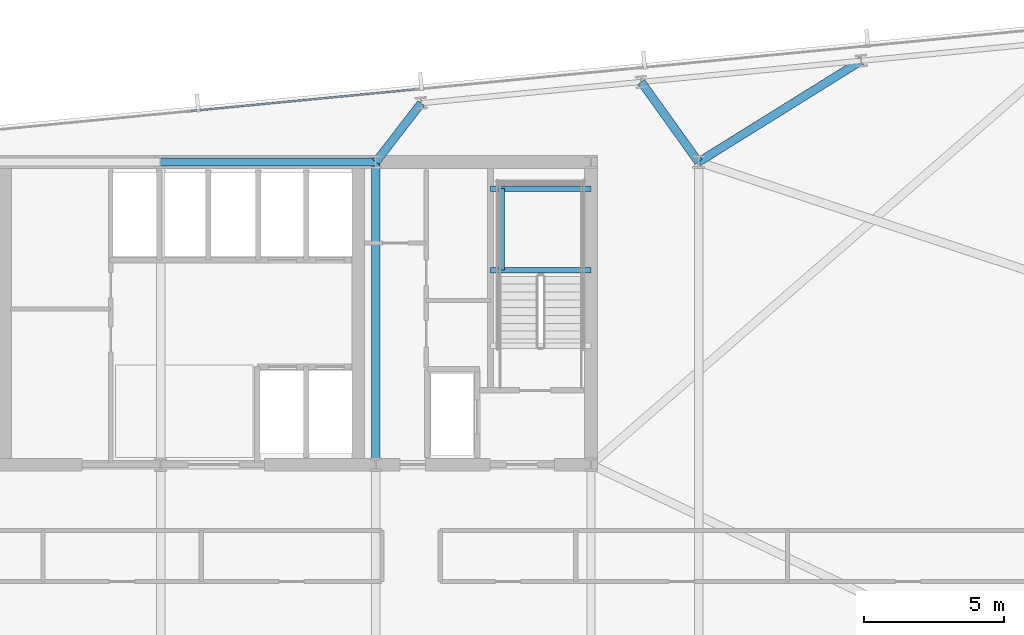
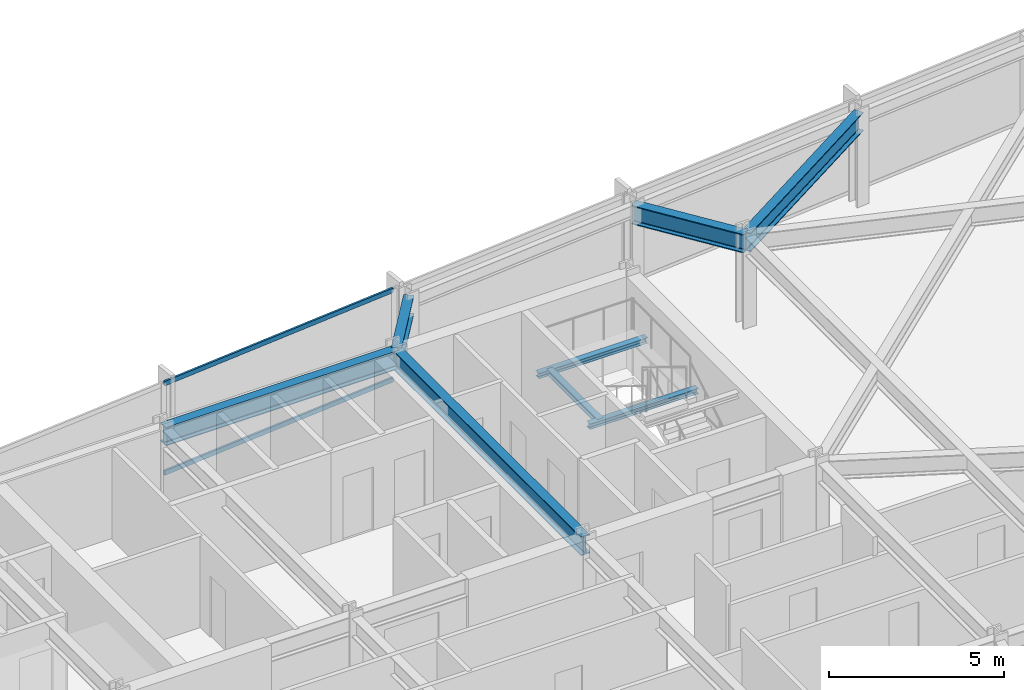
# One storey, part 20 of 32: 8 beams, 2 members, 1 element without a shape of its own.
"""IFC4 building model written with IfcOpenShell, lengths in metres."""

from ifc_helpers import new_model, si_unit, direction, frame, origin, origin_2d, place, context, subcontext, project, spatial, hollow_rectangle, i_section, extrude, material, material_profile, profile_set, type_object, element, aggregate, save


model = new_model("IFC4")

# Units and contexts
model_context = context("Model", 3, precision=1e-05, world=origin(), true_north=direction((0.0, 1.0)))
body_context = subcontext(model_context, "Body", "Model", "MODEL_VIEW")
ifc_project = project(units=[si_unit("LENGTHUNIT", "METRE"), si_unit("AREAUNIT", "SQUARE_METRE"), si_unit("VOLUMEUNIT", "CUBIC_METRE"), si_unit("PLANEANGLEUNIT", "RADIAN"), si_unit("MASSUNIT", "GRAM", prefix="KILO")], contexts=[model_context])

# Site, building, storey
site_placement = place(None, origin())
site = spatial("IfcSite", under=ifc_project, at=site_placement, CompositionType="ELEMENT")
building_placement = place(site_placement, origin())
building = spatial("IfcBuilding", under=site, at=building_placement, Name="Yelkora Congress Tower", CompositionType="ELEMENT")
storey_placement = place(building_placement, frame((0.0, 0.0, 113.5)))
storey = spatial("IfcBuildingStorey", under=building, at=storey_placement, Name="L30", CompositionType="ELEMENT", Elevation=113.5)

# Beams
ifc_material_1 = material(Name="Steel S355J2", Category="steel")
ifc_material_profile_1 = material_profile(ifc_material_1, i_section(OverallWidth=0.300048828125, OverallDepth=0.64990234375, WebThickness=0.01611328125, FlangeThickness=0.031005859375, FilletRadius=0.027099609375, at=origin_2d()), Name="HEB 650")
ifc_profile_set_1 = profile_set([ifc_material_profile_1], Name="Steel S355J2")
beam_type_1 = type_object("IfcBeamType", Name="BM-GIRD-HEB650", PredefinedType="BEAM", material=ifc_profile_set_1)
beam_1_placement = place(storey_placement, frame((38.39990234375, 46.199951171875, 2.85498046875), z_axis=(1.0, 0.0, 0.0), x_axis=(0.0, 1.0, 0.0)))
element("IfcBeam", 1, at=beam_1_placement, inside=storey, type_object=beam_type_1, Name="L30 Core North Girder 4", PredefinedType="BEAM", context=body_context, shape_type="SweptSolid", body=[
    extrude(i_section(OverallWidth=0.300048828125, OverallDepth=0.64990234375, WebThickness=0.01611328125, FlangeThickness=0.031005859375, FilletRadius=0.027099609375, at=origin_2d()), origin(), (0.0, 0.0, 1.0), 7.68017578125),
])
beam_2_placement = place(storey_placement, frame((46.080078125, 35.39990234375, 2.85498046875), z_axis=(0.0, 1.0, 0.0), x_axis=(-1.0, 0.0, 0.0)))
element("IfcBeam", 2, at=beam_2_placement, inside=storey, type_object=beam_type_1, Name="L30 Core Tie Girder MC-S4", PredefinedType="BEAM", context=body_context, shape_type="SweptSolid", body=[
    extrude(i_section(OverallWidth=0.300048828125, OverallDepth=0.64990234375, WebThickness=0.01611328125, FlangeThickness=0.031005859375, FilletRadius=0.027099609375, at=origin_2d()), origin(), (0.0, 0.0, 1.0), 10.800048828125),
])
beam_3_placement = place(storey_placement, frame((47.70458984375, 48.300537109375, 2.85498046875), z_axis=(-0.611761448665, -0.791042306029, 0.0), x_axis=(0.791042306029, -0.611761448665, 0.0)))
element("IfcBeam", 3, at=beam_3_placement, inside=storey, type_object=beam_type_1, Name="L30 Primary Frame Girder N05", PredefinedType="BEAM", context=body_context, shape_type="SweptSolid", body=[
    extrude(i_section(OverallWidth=0.300048828125, OverallDepth=0.64990234375, WebThickness=0.01611328125, FlangeThickness=0.031005859375, FilletRadius=0.027099609375, at=origin_2d()), origin(), (0.0, 0.0, 1.0), 2.655517578125),
])
beam_4_placement = place(storey_placement, frame((55.553955078125, 49.056396484375, 2.85498046875), z_axis=(0.582335305303, -0.81294870207, 0.0), x_axis=(0.81294870207, 0.582335305303, 0.0)))
element("IfcBeam", 4, at=beam_4_placement, inside=storey, type_object=beam_type_1, Name="L30 Primary Frame Girder N06", PredefinedType="BEAM", context=body_context, shape_type="SweptSolid", body=[
    extrude(i_section(OverallWidth=0.300048828125, OverallDepth=0.64990234375, WebThickness=0.01611328125, FlangeThickness=0.031005859375, FilletRadius=0.027099609375, at=origin_2d()), origin(), (0.0, 0.0, 1.0), 3.513671875),
])
beam_5_placement = place(storey_placement, frame((63.4033203125, 49.81201171875, 2.85498046875), z_axis=(-0.848980050527, -0.528424898929, 0.0), x_axis=(0.528424898929, -0.848980050527, 0.0)))
element("IfcBeam", 5, at=beam_5_placement, inside=storey, type_object=beam_type_1, Name="L30 Primary Frame Girder N07", PredefinedType="BEAM", context=body_context, shape_type="SweptSolid", body=[
    extrude(i_section(OverallWidth=0.300048828125, OverallDepth=0.64990234375, WebThickness=0.01611328125, FlangeThickness=0.031005859375, FilletRadius=0.027099609375, at=origin_2d()), origin(), (0.0, 0.0, 1.0), 6.83544921875),
])
ifc_material_profile_2 = material_profile(ifc_material_1, i_section(OverallWidth=0.199951171875, OverallDepth=0.18994140625, WebThickness=0.006591796875, FlangeThickness=0.010009765625, FilletRadius=0.01806640625, at=origin_2d()), Name="HEA 200")
ifc_profile_set_2 = profile_set([ifc_material_profile_2], Name="Steel S355J2")
beam_type_2 = type_object("IfcBeamType", Name="BM-LAND-HEA200", PredefinedType="BEAM", material=ifc_profile_set_2)
for number, where, z_axis, x_axis, name in (
    (6, (50.179931640625, 42.340087890625, 1.384521484375), (1.0, 0.0, 0.0), (0.0, 1.0, 0.0), "ST-02 L30 Landing Header Beam 1S"),
    (7, (50.179931640625, 45.25, 1.384521484375), (1.0, 0.0, 0.0), (0.0, 1.0, 0.0), "ST-02 L30 Landing Header Beam 1N"),
):
    element("IfcBeam", number, at=place(storey_placement, frame(where, z_axis=z_axis, x_axis=x_axis)), inside=storey, type_object=beam_type_2, Name=name, PredefinedType="BEAM", context=body_context, shape_type="SweptSolid", body=[
        extrude(i_section(OverallWidth=0.199951171875, OverallDepth=0.18994140625, WebThickness=0.006591796875, FlangeThickness=0.010009765625, FilletRadius=0.01806640625, at=origin_2d()), origin(), (0.0, 0.0, 1.0), 3.580078125),
    ])
beam_6_placement = place(storey_placement, frame((50.580078125, 42.340087890625, 1.384521484375), z_axis=(0.0, 1.0, 0.0), x_axis=(-1.0, 0.0, 0.0)))
element("IfcBeam", 8, at=beam_6_placement, inside=storey, type_object=beam_type_2, Name="ST-02 L30 Landing Trimmer Beam 1M", PredefinedType="BEAM", context=body_context, shape_type="SweptSolid", body=[
    extrude(i_section(OverallWidth=0.199951171875, OverallDepth=0.18994140625, WebThickness=0.006591796875, FlangeThickness=0.010009765625, FilletRadius=0.01806640625, at=origin_2d()), origin(), (0.0, 0.0, 1.0), 2.909912109375),
])

# Curtain wall, members
ifc_material_2 = material(Name="Anodised aluminium and insulated glass", Category="aluminium")
curtain_wall_type = type_object("IfcCurtainWallType", Name="CW-SYS-B2", PredefinedType="NOTDEFINED", material=ifc_material_2)
curtain_wall_placement = place(storey_placement, origin())
curtain_wall = element("IfcCurtainWall", 9, at=curtain_wall_placement, inside=storey, type_object=curtain_wall_type, Name="L30 Unitised Curtain Wall 10 (3)", PredefinedType="NOTDEFINED")
ifc_material_3 = material(Name="Anodised aluminium 6063-T6", Category="aluminium")
ifc_material_profile_3 = material_profile(ifc_material_3, hollow_rectangle(XDim=0.06494140625, YDim=0.159912109375, WallThickness=0.00390625, at=origin_2d()), Name="ALU 65x160x4")
ifc_profile_set_3 = profile_set([ifc_material_profile_3], Name="Anodised aluminium 6063-T6")
member_type = type_object("IfcMemberType", Name="MEM-TR-B2", PredefinedType="USERDEFINED", material=ifc_profile_set_3)
member_1_placement = place(storey_placement, frame((39.48681640625, 48.021728515625, 0.032470703125), z_axis=(0.995397513894, 0.095832089266, 0.0), x_axis=(-0.095832089266, 0.995397513894, 0.0)))
member_1 = element("IfcMember", 10, at=member_1_placement, type_object=member_type, Name="CW-B2 transom 3.1", ObjectType="TRANSOM", PredefinedType="USERDEFINED", context=body_context, shape_type="SweptSolid", body=[
    extrude(hollow_rectangle(XDim=0.06494140625, YDim=0.159912109375, WallThickness=0.00390625, at=origin_2d()), origin(), (0.0, 0.0, 1.0), 8.007080078125),
])
member_2_placement = place(storey_placement, frame((39.48681640625, 48.021728515625, 3.1474609375), z_axis=(0.995397513894, 0.095832089266, 0.0), x_axis=(-0.095832089266, 0.995397513894, 0.0)))
member_2 = element("IfcMember", 11, at=member_2_placement, type_object=member_type, Name="CW-B2 transom 3.2", ObjectType="TRANSOM", PredefinedType="USERDEFINED", context=body_context, shape_type="SweptSolid", body=[
    extrude(hollow_rectangle(XDim=0.06494140625, YDim=0.159912109375, WallThickness=0.00390625, at=origin_2d()), origin(), (0.0, 0.0, 1.0), 8.007080078125),
])
aggregate(curtain_wall, [member_1, member_2])

save(model, "model.ifc")
